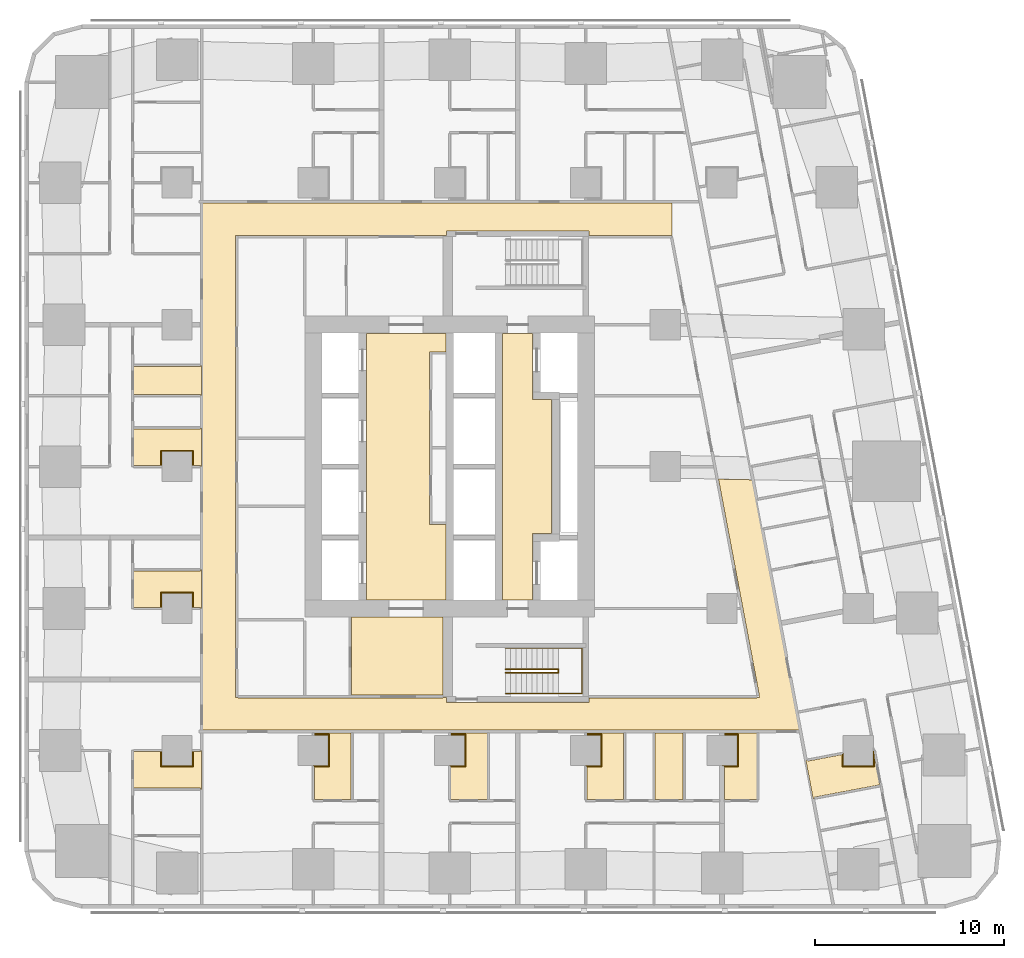
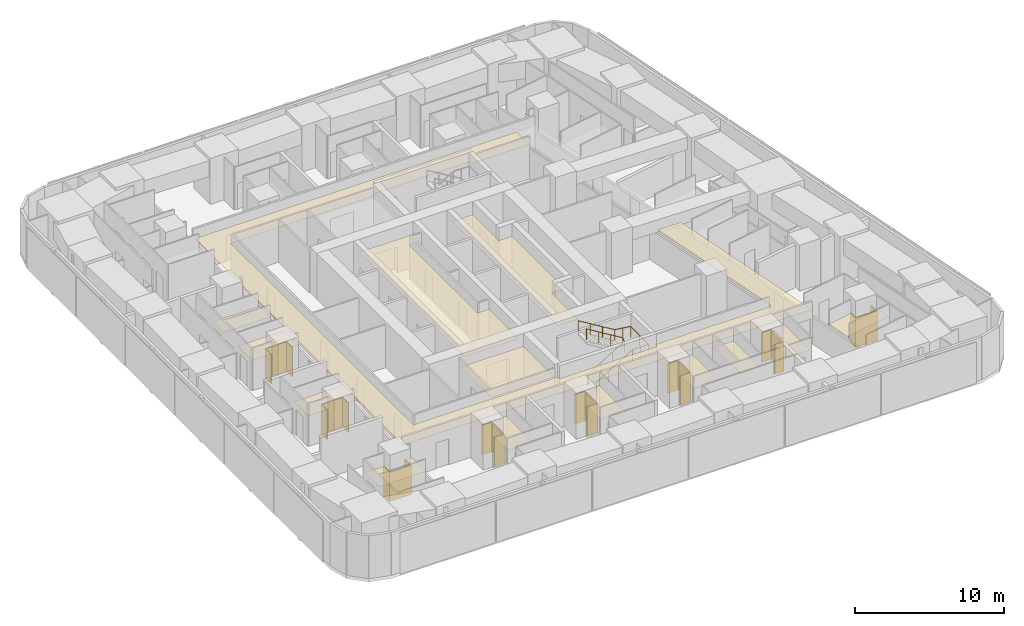
# One storey, part 14 of 16: 22 coverings, 2 railings.
"""IFC4 building model written with IfcOpenShell, lengths in metres."""

import ifcopenshell
import ifcopenshell.guid

model = None  # the IFC model being written
_history = None  # IfcOwnerHistory: only IFC2X3 demands one
_inside = {}  # id of a spatial element -> (the spatial element, [elements in it])
_under = {}  # id of a project, library or spatial element -> (it, [spatial elements below it])
_declared = {}  # id of a project -> (the project, [libraries it declares])
_typed = {}  # id of a type object -> (the type object, [elements of that type])
_made_of = {}  # id of a material, layer set ... -> (it, [elements and type objects made of it])


def new_model(schema):
    """Start an empty IFC model of exactly this schema.

    Asked for "IFC4X3", IfcOpenShell would pick the latest addendum, in which some entities
    have other attributes; the version numbers below select the first issue.
    IFC2X3 requires an IfcOwnerHistory on every rooted entity: one is made here for all.
    """
    global model, _history
    if schema == "IFC4X3":
        model = ifcopenshell.file(schema_version=(4, 3, 0, 0))
    else:
        model = ifcopenshell.file(schema=schema)
    _inside.clear()
    _under.clear()
    _declared.clear()
    _typed.clear()
    _made_of.clear()
    _history = None
    if model.schema == "IFC2X3":
        org = make("IfcOrganization", Name="unknown")
        user = make(
            "IfcPersonAndOrganization",
            ThePerson=make("IfcPerson", FamilyName="unknown"),
            TheOrganization=org,
        )
        app = make(
            "IfcApplication",
            ApplicationDeveloper=org,
            Version="unknown",
            ApplicationFullName="unknown",
            ApplicationIdentifier="unknown",
        )
        _history = make(
            "IfcOwnerHistory",
            OwningUser=user,
            OwningApplication=app,
            ChangeAction="ADDED",
            CreationDate=0,
        )
    return model


def make(cls, **values):
    """One entity of the class cls with the attributes given. An attribute that is None is left unset."""
    return model.create_entity(
        cls, **{name: value for name, value in values.items() if value is not None}
    )


def rooted(cls, **values):
    """An entity with a GlobalId (a new one), such as an element, a storey or a relation."""
    return make(cls, GlobalId=ifcopenshell.guid.new(), OwnerHistory=_history, **values)


def si_unit(unit_type, name, prefix=None):
    """IfcSIUnit, for example si_unit("LENGTHUNIT", "METRE", prefix="MILLI")."""
    return make("IfcSIUnit", UnitType=unit_type, Prefix=prefix, Name=name)


def assignment(units):
    """IfcUnitAssignment: the units of a project."""
    return None if units is None else make("IfcUnitAssignment", Units=units)


def point(xyz):
    """IfcCartesianPoint."""
    return None if xyz is None else make("IfcCartesianPoint", Coordinates=xyz)


def direction(xyz):
    """IfcDirection."""
    return None if xyz is None else make("IfcDirection", DirectionRatios=xyz)


def frame(location, z_axis=None, x_axis=None):
    """IfcAxis2Placement3D, a coordinate frame: its origin and axes. An axis left out is left unset."""
    return make(
        "IfcAxis2Placement3D",
        Location=point(location),
        Axis=direction(z_axis),
        RefDirection=direction(x_axis),
    )


def frame_2d(location, x_axis=None):
    """IfcAxis2Placement2D, a coordinate frame in the plane: its origin and x axis."""
    return make(
        "IfcAxis2Placement2D", Location=point(location), RefDirection=direction(x_axis)
    )


def origin():
    """The frame at (0, 0, 0) with its axes left unset."""
    return frame((0.0, 0.0, 0.0))


def origin_2d():
    """The frame at (0, 0) in the plane with its x axis left unset."""
    return frame_2d((0.0, 0.0))


def place(relative_to, where):
    """IfcLocalPlacement: puts the frame where relative to a parent placement (None: the world)."""
    return make(
        "IfcLocalPlacement", PlacementRelTo=relative_to, RelativePlacement=where
    )


def context(
    kind, dimensions, precision=None, world=None, true_north=None, identifier=None
):
    """IfcGeometricRepresentationContext, for example the 3D "Model" context."""
    return make(
        "IfcGeometricRepresentationContext",
        ContextIdentifier=identifier,
        ContextType=kind,
        CoordinateSpaceDimension=dimensions,
        Precision=precision,
        WorldCoordinateSystem=world,
        TrueNorth=true_north,
    )


def subcontext(parent, identifier, kind, view, scale=None):
    """IfcGeometricRepresentationSubContext, for example "Body" below "Model"."""
    return make(
        "IfcGeometricRepresentationSubContext",
        ContextIdentifier=identifier,
        ContextType=kind,
        ParentContext=parent,
        TargetScale=scale,
        TargetView=view,
    )


def project(units=None, contexts=None):
    """IfcProject with its units and contexts."""
    return rooted(
        "IfcProject",
        Name="project",
        RepresentationContexts=contexts,
        UnitsInContext=assignment(units),
    )


def spatial(cls, under=None, at=None, **own):
    """A site, building, storey or space (cls), placed at a placement, below another one or the project."""
    s = rooted(cls, ObjectPlacement=at, **own)
    if under is not None:
        _under.setdefault(under.id(), (under, []))[1].append(s)
    return s


def polyline(points):
    """IfcPolyline through the points."""
    return make("IfcPolyline", Points=[point(p) for p in points])


def profile(cls, at=None, kind="AREA", **sizes):
    """A parametric profile (cls). Its sizes go by their IFC names, for example OverallWidth=200.0."""
    return make(cls, ProfileType=kind, Position=at, **sizes)


def circle(**sizes):
    """IfcCircleProfileDef."""
    return profile("IfcCircleProfileDef", **sizes)


def outline(outer, holes=None, kind="AREA"):
    """IfcArbitraryClosedProfileDef: a profile drawn as a closed curve; with holes, ...WithVoids."""
    if holes is None:
        return make("IfcArbitraryClosedProfileDef", ProfileType=kind, OuterCurve=outer)
    return make(
        "IfcArbitraryProfileDefWithVoids",
        ProfileType=kind,
        OuterCurve=outer,
        InnerCurves=holes,
    )


def extrude(swept, where, along, depth):
    """IfcExtrudedAreaSolid: the profile swept, set in the frame where, extruded along a direction by depth."""
    return make(
        "IfcExtrudedAreaSolid",
        SweptArea=swept,
        Position=where,
        ExtrudedDirection=direction(along),
        Depth=depth,
    )


def shape(context_of_items, identifier, shape_type, items):
    """IfcShapeRepresentation: the items that make up one representation, for example the "Body"."""
    return make(
        "IfcShapeRepresentation",
        ContextOfItems=context_of_items,
        RepresentationIdentifier=identifier,
        RepresentationType=shape_type,
        Items=items,
    )


def material(Name=None, Category=None):
    """IfcMaterial."""
    return make("IfcMaterial", Name=Name, Category=Category)


def layer(
    of_material, thickness, ventilated=None, Name=None, Category=None, Priority=None
):
    """IfcMaterialLayer: one layer of a wall or slab, of a material (None: an air gap)."""
    return make(
        "IfcMaterialLayer",
        Material=of_material,
        LayerThickness=thickness,
        IsVentilated=ventilated,
        Name=Name,
        Category=Category,
        Priority=Priority,
    )


def layer_set(layers, Name=None):
    """IfcMaterialLayerSet."""
    return make("IfcMaterialLayerSet", MaterialLayers=layers, LayerSetName=Name)


def made_of(thing, what):
    """Note that an element or type object is made of a material, layer set ...; save() writes the relation."""
    if what is not None:
        _made_of.setdefault(what.id(), (what, []))[1].append(thing)
    return thing


def type_object(cls, material=None, **own):
    """A type object (cls), such as IfcWallType, which elements share."""
    return made_of(rooted(cls, **own), material)


def element(
    cls,
    number,
    at=None,
    inside=None,
    cuts=None,
    type_object=None,
    material=None,
    context=None,
    identifier="Body",
    shape_type=None,
    held_by="IfcProductDefinitionShape",
    body=None,
    shapes=None,
    **own,
):
    """One element of the class cls, such as IfcWall. Its Tag is "e" and its number.

    at: its placement. inside: the storey or other place that contains it. cuts: it is an
    opening in that element (IfcRelVoidsElement). A single representation is given by context,
    identifier, shape_type and body (its items); several are given by shapes. held_by: the class
    of the entity that holds the representations. save() writes the other relations.
    """
    e = rooted(cls, Tag="e%d" % number, ObjectPlacement=at, **own)
    if body is not None:
        shapes = [shape(context, identifier, shape_type, body)]
    if shapes is not None:
        e.Representation = make(held_by, Representations=shapes)
    if inside is not None:
        _inside.setdefault(inside.id(), (inside, []))[1].append(e)
    if cuts is not None:
        rooted(
            "IfcRelVoidsElement", RelatingBuildingElement=cuts, RelatedOpeningElement=e
        )
    if type_object is not None:
        _typed.setdefault(type_object.id(), (type_object, []))[1].append(e)
    return made_of(e, material)


def aggregate(whole, parts):
    """IfcRelAggregates: a whole, such as a stair, and the parts it consists of."""
    return rooted("IfcRelAggregates", RelatingObject=whole, RelatedObjects=parts)


def save(model, path):
    """Write the relations noted so far, then the file.

    IfcRelAggregates (storeys below a building ...), IfcRelContainedInSpatialStructure (elements
    in a storey), IfcRelDefinesByType, IfcRelAssociatesMaterial and IfcRelDeclares: one each for
    every whole, place, type object, material and project.
    """
    for whole, parts in _under.values():
        aggregate(whole, parts)
    for where, things in _inside.values():
        rooted(
            "IfcRelContainedInSpatialStructure",
            RelatedElements=things,
            RelatingStructure=where,
        )
    for kind, things in _typed.values():
        rooted("IfcRelDefinesByType", RelatedObjects=things, RelatingType=kind)
    for what, things in _made_of.values():
        rooted("IfcRelAssociatesMaterial", RelatedObjects=things, RelatingMaterial=what)
    for by, libraries in _declared.values():
        rooted("IfcRelDeclares", RelatingContext=by, RelatedDefinitions=libraries)
    model.write(path)


model = new_model("IFC4")

# Units and contexts
model_context = context("Model", 3, precision=1e-05, world=origin(), true_north=direction((0.0, 1.0)))
body_context = subcontext(model_context, "Body", "Model", "MODEL_VIEW")
ifc_project = project(units=[si_unit("LENGTHUNIT", "METRE"), si_unit("AREAUNIT", "SQUARE_METRE"), si_unit("VOLUMEUNIT", "CUBIC_METRE"), si_unit("PLANEANGLEUNIT", "RADIAN"), si_unit("MASSUNIT", "GRAM", prefix="KILO")], contexts=[model_context])

# Site, building, storey
site_placement = place(None, origin())
site = spatial("IfcSite", under=ifc_project, at=site_placement, CompositionType="ELEMENT")
building_placement = place(site_placement, origin())
building = spatial("IfcBuilding", under=site, at=building_placement, Name="Sheger Commons Tower", CompositionType="ELEMENT")
storey_placement = place(building_placement, frame((0.0, 0.0, 89.14990234375)))
storey = spatial("IfcBuildingStorey", under=building, at=storey_placement, Name="L22", CompositionType="ELEMENT", Elevation=89.14990234375)

# Railings
ifc_material_1 = material(Name="Steel handrail, black powder-coated", Category="steel")
railing_type = type_object("IfcRailingType", Name="HANDRAIL 900", PredefinedType="HANDRAIL", material=ifc_material_1)
railing_1_placement = place(storey_placement, frame((24.550048828125, 11.60009765625, 0.170654296875)))
element("IfcRailing", 1, at=railing_1_placement, inside=storey, type_object=railing_type, Name="Stair S1 handrail L22", PredefinedType="HANDRAIL", context=body_context, shape_type="SweptSolid", body=[
    extrude(circle(Radius=0.02392578125, at=origin_2d()), frame((0.0, 0.0, 0.8759765625), z_axis=(0.854202870247, 0.0, 0.519939858505), x_axis=(0.0, 1.0, 0.0)), (0.0, 0.0, 1.0), 3.278076171875),
    extrude(circle(Radius=0.02392578125, at=origin_2d()), frame((2.800048828125, 0.0, 2.580078125), z_axis=(0.0, 0.760631612298, 0.649183757016), x_axis=(-1.0, 0.0, 0.0)), (0.0, 0.0, 1.0), 0.262939453125),
    extrude(circle(Radius=0.02392578125, at=origin_2d()), frame((2.800048828125, 0.199951171875, 2.7509765625), z_axis=(-0.854202870247, 0.0, 0.519939858505), x_axis=(0.0, -1.0, 0.0)), (0.0, 0.0, 1.0), 3.278076171875),
    extrude(circle(Radius=0.02099609375, at=origin_2d()), origin(), (0.0, 0.0, 1.0), 0.851806640625),
    extrude(circle(Radius=0.02099609375, at=origin_2d()), frame((0.933349609375, 0.0, 0.568115234375)), (0.0, 0.0, 1.0), 0.851806640625),
    extrude(circle(Radius=0.02099609375, at=origin_2d()), frame((1.86669921875, 0.0, 1.13623046875)), (0.0, 0.0, 1.0), 0.851806640625),
    extrude(circle(Radius=0.02099609375, at=origin_2d()), frame((2.800048828125, 0.0, 1.704345703125)), (0.0, 0.0, 1.0), 0.851806640625),
    extrude(circle(Radius=0.02099609375, at=origin_2d()), frame((2.800048828125, 0.199951171875, 1.875)), (0.0, 0.0, 1.0), 0.851806640625),
    extrude(circle(Radius=0.02099609375, at=origin_2d()), frame((1.86669921875, 0.199951171875, 2.443115234375)), (0.0, 0.0, 1.0), 0.851806640625),
    extrude(circle(Radius=0.02099609375, at=origin_2d()), frame((0.933349609375, 0.199951171875, 3.01123046875)), (0.0, 0.0, 1.0), 0.851806640625),
    extrude(circle(Radius=0.02099609375, at=origin_2d()), frame((0.0, 0.199951171875, 3.579345703125)), (0.0, 0.0, 1.0), 0.851806640625),
])
railing_2_placement = place(storey_placement, frame((24.550048828125, 10.5, 0.170654296875)))
element("IfcRailing", 2, at=railing_2_placement, inside=storey, type_object=railing_type, Name="Stair S1 handrail L22", PredefinedType="HANDRAIL", context=body_context, shape_type="SweptSolid", body=[
    extrude(circle(Radius=0.02392578125, at=origin_2d()), frame((0.0, 0.0, 0.8759765625), z_axis=(0.854202870247, 0.0, 0.519939858505), x_axis=(0.0, 1.0, 0.0)), (0.0, 0.0, 1.0), 3.278076171875),
    extrude(circle(Radius=0.02392578125, at=origin_2d()), frame((2.800048828125, 0.0, 2.580078125), z_axis=(1.0, 0.0, 0.0), x_axis=(0.0, 1.0, 0.0)), (0.0, 0.0, 1.0), 1.25),
    extrude(circle(Radius=0.02392578125, at=origin_2d()), frame((4.050048828125, 0.0, 2.580078125), z_axis=(0.0, 1.0, 0.0), x_axis=(-1.0, 0.0, 0.0)), (0.0, 0.0, 1.0), 2.39990234375),
    extrude(circle(Radius=0.02392578125, at=origin_2d()), frame((4.050048828125, 2.39990234375, 2.580078125), z_axis=(-0.990808959222, 0.0, 0.135268645019), x_axis=(0.0, -1.0, 0.0)), (0.0, 0.0, 1.0), 1.261474609375),
    extrude(circle(Radius=0.02392578125, at=origin_2d()), frame((2.800048828125, 2.39990234375, 2.7509765625), z_axis=(-0.854202870247, 0.0, 0.519939858505), x_axis=(0.0, -1.0, 0.0)), (0.0, 0.0, 1.0), 3.278076171875),
    extrude(circle(Radius=0.02099609375, at=origin_2d()), origin(), (0.0, 0.0, 1.0), 0.851806640625),
    extrude(circle(Radius=0.02099609375, at=origin_2d()), frame((0.933349609375, 0.0, 0.568115234375)), (0.0, 0.0, 1.0), 0.851806640625),
    extrude(circle(Radius=0.02099609375, at=origin_2d()), frame((1.86669921875, 0.0, 1.13623046875)), (0.0, 0.0, 1.0), 0.851806640625),
    extrude(circle(Radius=0.02099609375, at=origin_2d()), frame((2.800048828125, 0.0, 1.704345703125)), (0.0, 0.0, 1.0), 0.851806640625),
    extrude(circle(Radius=0.02099609375, at=origin_2d()), frame((3.425048828125, 0.0, 1.704345703125)), (0.0, 0.0, 1.0), 0.851806640625),
    extrude(circle(Radius=0.02099609375, at=origin_2d()), frame((4.050048828125, 0.0, 1.704345703125)), (0.0, 0.0, 1.0), 0.851806640625),
    extrude(circle(Radius=0.02099609375, at=origin_2d()), frame((4.050048828125, 1.199951171875, 1.704345703125)), (0.0, 0.0, 1.0), 0.851806640625),
    extrude(circle(Radius=0.02099609375, at=origin_2d()), frame((4.050048828125, 2.39990234375, 1.704345703125)), (0.0, 0.0, 1.0), 0.851806640625),
    extrude(circle(Radius=0.02099609375, at=origin_2d()), frame((3.425048828125, 2.39990234375, 1.78955078125)), (0.0, 0.0, 1.0), 0.851806640625),
    extrude(circle(Radius=0.02099609375, at=origin_2d()), frame((2.800048828125, 2.39990234375, 1.875)), (0.0, 0.0, 1.0), 0.851806640625),
    extrude(circle(Radius=0.02099609375, at=origin_2d()), frame((1.86669921875, 2.39990234375, 2.443115234375)), (0.0, 0.0, 1.0), 0.851806640625),
    extrude(circle(Radius=0.02099609375, at=origin_2d()), frame((0.933349609375, 2.39990234375, 3.01123046875)), (0.0, 0.0, 1.0), 0.851806640625),
    extrude(circle(Radius=0.02099609375, at=origin_2d()), frame((0.0, 2.39990234375, 3.579345703125)), (0.0, 0.0, 1.0), 0.851806640625),
])

# Coverings
ifc_material_2 = material(Name="Moisture-resistant gypsum plasterboard 15 mm on a suspended galvanised steel grid", Category="steel")
ifc_layer_1 = layer(ifc_material_2, 0.014892578125)
ifc_layer_set_1 = layer_set([ifc_layer_1], Name="MOISTURE-RESISTANT CEILING 15")
covering_type_1 = type_object("IfcCoveringType", Name="MOISTURE-RESISTANT CEILING 15", PredefinedType="CEILING", material=ifc_layer_set_1)
covering_1_placement = place(storey_placement, frame((0.0, 0.0, 2.400146484375)))
element("IfcCovering", 3, at=covering_1_placement, inside=storey, type_object=covering_type_1, Name="L22-01.B1 ceiling", PredefinedType="CEILING", context=body_context, shape_type="SweptSolid", body=[
    extrude(outline(polyline([(8.429931640625, 5.449951171875), (8.5, 5.449951171875), (8.5, 7.5), (8.429931640625, 7.5), (8.429931640625, 7.445068359375), (8.0048828125, 7.445068359375), (8.0048828125, 6.695068359375), (6.39501953125, 6.695068359375), (6.39501953125, 7.445068359375), (4.905029296875, 7.445068359375), (4.905029296875, 5.5048828125), (8.429931640625, 5.5048828125), (8.429931640625, 5.449951171875)])), origin(), (0.0, 0.0, 1.0), 0.014892578125),
])
covering_2_placement = place(storey_placement, frame((0.0, 0.0, 2.400146484375)))
element("IfcCovering", 4, at=covering_2_placement, inside=storey, type_object=covering_type_1, Name="L22-02.B1 ceiling", PredefinedType="CEILING", context=body_context, shape_type="SweptSolid", body=[
    extrude(outline(polyline([(8.429931640625, 15.0), (8.5, 15.0), (8.5, 17.050048828125), (8.429931640625, 17.050048828125), (8.429931640625, 16.9951171875), (4.905029296875, 16.9951171875), (4.905029296875, 15.054931640625), (6.39501953125, 15.054931640625), (6.39501953125, 15.804931640625), (8.0048828125, 15.804931640625), (8.0048828125, 15.054931640625), (8.429931640625, 15.054931640625), (8.429931640625, 15.0)])), origin(), (0.0, 0.0, 1.0), 0.014892578125),
])
covering_3_placement = place(storey_placement, frame((0.0, 0.0, 2.400146484375)))
element("IfcCovering", 5, at=covering_3_placement, inside=storey, type_object=covering_type_1, Name="L22-03.B1 ceiling", PredefinedType="CEILING", context=body_context, shape_type="SweptSolid", body=[
    extrude(outline(polyline([(8.429931640625, 22.5), (8.5, 22.5), (8.5, 24.550048828125), (8.429931640625, 24.550048828125), (8.429931640625, 24.4951171875), (4.905029296875, 24.4951171875), (4.905029296875, 22.554931640625), (6.39501953125, 22.554931640625), (6.39501953125, 23.304931640625), (8.0048828125, 23.304931640625), (8.0048828125, 22.554931640625), (8.429931640625, 22.554931640625), (8.429931640625, 22.5)])), origin(), (0.0, 0.0, 1.0), 0.014892578125),
])
covering_4_placement = place(storey_placement, frame((0.0, 0.0, 2.400146484375)))
element("IfcCovering", 6, at=covering_4_placement, inside=storey, type_object=covering_type_1, Name="L22-03.B2 ceiling", PredefinedType="CEILING", context=body_context, shape_type="SweptSolid", body=[
    extrude(outline(polyline([(8.429931640625, 26.25), (8.5, 26.25), (8.5, 27.85009765625), (8.429931640625, 27.85009765625), (8.429931640625, 27.794921875), (4.905029296875, 27.794921875), (4.905029296875, 26.304931640625), (8.429931640625, 26.304931640625), (8.429931640625, 26.25)])), origin(), (0.0, 0.0, 1.0), 0.014892578125),
])
covering_5_placement = place(storey_placement, frame((0.0, 0.0, 2.400146484375)))
element("IfcCovering", 7, at=covering_5_placement, inside=storey, type_object=covering_type_1, Name="L22-05.B1 ceiling", PredefinedType="CEILING", context=body_context, shape_type="SweptSolid", body=[
    extrude(outline(polyline([(14.455078125, 4.905029296875), (16.39501953125, 4.905029296875), (16.39501953125, 8.419921875), (14.455078125, 8.419921875), (14.455078125, 8.304931640625), (15.205078125, 8.304931640625), (15.205078125, 6.695068359375), (14.455078125, 6.695068359375), (14.455078125, 4.905029296875)])), origin(), (0.0, 0.0, 1.0), 0.014892578125),
])
covering_6_placement = place(storey_placement, frame((0.0, 0.0, 2.400146484375)))
element("IfcCovering", 8, at=covering_6_placement, inside=storey, type_object=covering_type_1, Name="L22-06.B1 ceiling", PredefinedType="CEILING", context=body_context, shape_type="SweptSolid", body=[
    extrude(outline(polyline([(21.655029296875, 4.905029296875), (23.594970703125, 4.905029296875), (23.594970703125, 8.419921875), (21.655029296875, 8.419921875), (21.655029296875, 8.304931640625), (22.405029296875, 8.304931640625), (22.405029296875, 6.695068359375), (21.655029296875, 6.695068359375), (21.655029296875, 4.905029296875)])), origin(), (0.0, 0.0, 1.0), 0.014892578125),
])
covering_7_placement = place(storey_placement, frame((0.0, 0.0, 2.400146484375)))
element("IfcCovering", 9, at=covering_7_placement, inside=storey, type_object=covering_type_1, Name="L22-07.B1 ceiling", PredefinedType="CEILING", context=body_context, shape_type="SweptSolid", body=[
    extrude(outline(polyline([(28.85498046875, 4.905029296875), (30.794921875, 4.905029296875), (30.794921875, 8.419921875), (28.85498046875, 8.419921875), (28.85498046875, 8.304931640625), (29.60498046875, 8.304931640625), (29.60498046875, 6.695068359375), (28.85498046875, 6.695068359375), (28.85498046875, 4.905029296875)])), origin(), (0.0, 0.0, 1.0), 0.014892578125),
])
covering_8_placement = place(storey_placement, frame((0.0, 0.0, 2.400146484375)))
element("IfcCovering", 10, at=covering_8_placement, inside=storey, type_object=covering_type_1, Name="L22-07.B2 ceiling", PredefinedType="CEILING", context=body_context, shape_type="SweptSolid", body=[
    extrude(outline(polyline([(32.455078125, 4.905029296875), (33.945068359375, 4.905029296875), (33.945068359375, 8.419921875), (32.455078125, 8.419921875), (32.455078125, 4.905029296875)])), origin(), (0.0, 0.0, 1.0), 0.014892578125),
])
covering_9_placement = place(storey_placement, frame((0.0, 0.0, 2.400146484375)))
element("IfcCovering", 11, at=covering_9_placement, inside=storey, type_object=covering_type_1, Name="L22-08.B1 ceiling", PredefinedType="CEILING", context=body_context, shape_type="SweptSolid", body=[
    extrude(outline(polyline([(36.1298828125, 4.905029296875), (37.8349609375, 4.905029296875), (37.8349609375, 8.419921875), (36.1298828125, 8.419921875), (36.1298828125, 8.304931640625), (36.804931640625, 8.304931640625), (36.804931640625, 6.695068359375), (36.1298828125, 6.695068359375), (36.1298828125, 4.905029296875)])), origin(), (0.0, 0.0, 1.0), 0.014892578125),
])
covering_10_placement = place(storey_placement, frame((0.0, 0.0, 2.400146484375)))
element("IfcCovering", 12, at=covering_10_placement, inside=storey, type_object=covering_type_1, Name="L22-11.B1 ceiling", PredefinedType="CEILING", context=body_context, shape_type="SweptSolid", body=[
    extrude(outline(polyline([(40.81201171875, 4.962890625), (40.881103515625, 4.97607421875), (40.87109375, 5.030029296875), (44.333984375, 5.68408203125), (44.007080078125, 7.4150390625), (44.0048828125, 7.4150390625), (44.0048828125, 6.695068359375), (42.39501953125, 6.695068359375), (42.39501953125, 7.2919921875), (40.510009765625, 6.93603515625), (40.5, 6.990966796875), (40.431884765625, 6.97802734375), (40.81201171875, 4.962890625)])), origin(), (0.0, 0.0, 1.0), 0.014892578125),
])
ifc_material_3 = material(Name="Gypsum plasterboard 15 mm on a suspended steel grid", Category="steel")
ifc_layer_2 = layer(ifc_material_3, 0.014892578125)
ifc_layer_set_2 = layer_set([ifc_layer_2], Name="SUSPENDED CEILING 15")
covering_type_2 = type_object("IfcCoveringType", Name="SUSPENDED CEILING 15", PredefinedType="CEILING", material=ifc_layer_set_2)
covering_11_placement = place(storey_placement, frame((0.0, 0.0, 2.7001953125)))
element("IfcCovering", 13, at=covering_11_placement, inside=storey, type_object=covering_type_2, Name="L22-CO ceiling", PredefinedType="CEILING", context=body_context, shape_type="SweptSolid", body=[
    extrude(outline(polyline([(40.05810546875, 8.5), (40.14404296875, 8.5), (37.632080078125, 21.801025390625), (35.81103515625, 21.837890625), (37.967041015625, 10.4208984375), (37.949951171875, 10.4169921875), (37.971923828125, 10.300048828125), (37.841064453125, 10.300048828125), (37.841064453125, 10.281982421875), (28.955078125, 10.281982421875), (28.955078125, 10.044921875), (21.445068359375, 10.044921875), (21.445068359375, 10.300048828125), (21.2548828125, 10.300048828125), (21.2548828125, 10.281982421875), (10.407958984375, 10.281982421875), (10.407958984375, 10.294921875), (10.281982421875, 10.294921875), (10.281982421875, 34.705078125), (10.407958984375, 34.705078125), (10.407958984375, 34.718017578125), (21.2548828125, 34.718017578125), (21.2548828125, 34.699951171875), (21.445068359375, 34.699951171875), (21.445068359375, 34.955078125), (28.955078125, 34.955078125), (28.955078125, 34.718017578125), (33.3359375, 34.718017578125), (33.3359375, 34.699951171875), (33.361083984375, 34.699951171875), (33.361083984375, 36.419921875), (8.5, 36.419921875), (8.5, 8.580078125), (40.05810546875, 8.580078125), (40.05810546875, 8.5)])), origin(), (0.0, 0.0, 1.0), 0.014892578125),
])
covering_12_placement = place(storey_placement, frame((0.0, 0.0, 2.7001953125)))
element("IfcCovering", 14, at=covering_12_placement, inside=storey, type_object=covering_type_2, Name="L22-SVS1 ceiling", PredefinedType="CEILING", context=body_context, shape_type="SweptSolid", body=[
    extrude(outline(polyline([(16.406982421875, 10.41796875), (21.2451171875, 10.41796875), (21.2451171875, 14.544921875), (16.406982421875, 14.544921875), (16.406982421875, 10.41796875)])), origin(), (0.0, 0.0, 1.0), 0.014892578125),
])
covering_13_placement = place(storey_placement, frame((0.0, 0.0, 2.7001953125)))
element("IfcCovering", 15, at=covering_13_placement, inside=storey, type_object=covering_type_2, Name="L22-LL ceiling", PredefinedType="CEILING", context=body_context, shape_type="SweptSolid", body=[
    extrude(outline(polyline([(17.205078125, 15.455078125), (21.39990234375, 15.455078125), (21.39990234375, 19.43310546875), (20.657958984375, 19.43310546875), (20.532958984375, 19.43310546875), (20.532958984375, 28.56689453125), (20.657958984375, 28.56689453125), (21.39990234375, 28.56689453125), (21.39990234375, 29.544921875), (17.205078125, 29.544921875), (17.205078125, 15.455078125)])), origin(), (0.0, 0.0, 1.0), 0.014892578125),
])
covering_14_placement = place(storey_placement, frame((0.0, 0.0, 2.7001953125)))
element("IfcCovering", 16, at=covering_14_placement, inside=storey, type_object=covering_type_2, Name="L22-FL ceiling", PredefinedType="CEILING", context=body_context, shape_type="SweptSolid", body=[
    extrude(outline(polyline([(24.405029296875, 15.455078125), (25.9951171875, 15.455078125), (25.9951171875, 18.955078125), (26.9951171875, 18.955078125), (26.9951171875, 26.044921875), (25.9951171875, 26.044921875), (25.9951171875, 29.544921875), (24.405029296875, 29.544921875), (24.405029296875, 15.455078125)])), origin(), (0.0, 0.0, 1.0), 0.014892578125),
])
ifc_material_4 = material(Name="Moisture-resistant gypsum board 12.5 mm on 25 mm treated timber battens, tanked and tiled", Category="wood")
ifc_layer_3 = layer(ifc_material_4, 0.050048828125)
ifc_layer_set_3 = layer_set([ifc_layer_3], Name="WET-ROOM COLUMN LINING")
covering_type_3 = type_object("IfcCoveringType", Name="WET-ROOM COLUMN LINING", PredefinedType="CLADDING", material=ifc_layer_set_3)
covering_15_placement = place(storey_placement, origin())
element("IfcCovering", 17, at=covering_15_placement, inside=storey, type_object=covering_type_3, Name="Bathroom column lining C9 L22", PredefinedType="CLADDING", context=body_context, shape_type="SweptSolid", body=[
    extrude(outline(polyline([(6.39990234375, 7.5), (6.39990234375, 6.699951171875), (8.0, 6.699951171875), (8.0, 7.5), (8.0009765625, 7.5), (8.0009765625, 7.449951171875), (8.050048828125, 7.449951171875), (8.050048828125, 6.64990234375), (6.35009765625, 6.64990234375), (6.35009765625, 7.449951171875), (6.39892578125, 7.449951171875), (6.39892578125, 7.5), (6.39990234375, 7.5)])), origin(), (0.0, 0.0, 1.0), 2.400146484375),
])
covering_16_placement = place(storey_placement, origin())
element("IfcCovering", 18, at=covering_16_placement, inside=storey, type_object=covering_type_3, Name="Bathroom column lining C9 L22", PredefinedType="CLADDING", context=body_context, shape_type="SweptSolid", body=[
    extrude(outline(polyline([(15.25, 6.64990234375), (14.449951171875, 6.64990234375), (14.449951171875, 6.698974609375), (14.39990234375, 6.698974609375), (14.39990234375, 6.699951171875), (15.199951171875, 6.699951171875), (15.199951171875, 8.300048828125), (14.39990234375, 8.300048828125), (14.39990234375, 8.301025390625), (14.449951171875, 8.301025390625), (14.449951171875, 8.35009765625), (15.25, 8.35009765625), (15.25, 6.64990234375)])), origin(), (0.0, 0.0, 1.0), 2.400146484375),
])
covering_17_placement = place(storey_placement, origin())
element("IfcCovering", 19, at=covering_17_placement, inside=storey, type_object=covering_type_3, Name="Bathroom column lining C9 L22", PredefinedType="CLADDING", context=body_context, shape_type="SweptSolid", body=[
    extrude(outline(polyline([(22.449951171875, 6.64990234375), (21.64990234375, 6.64990234375), (21.64990234375, 6.698974609375), (21.60009765625, 6.698974609375), (21.60009765625, 6.699951171875), (22.39990234375, 6.699951171875), (22.39990234375, 8.300048828125), (21.60009765625, 8.300048828125), (21.60009765625, 8.301025390625), (21.64990234375, 8.301025390625), (21.64990234375, 8.35009765625), (22.449951171875, 8.35009765625), (22.449951171875, 6.64990234375)])), origin(), (0.0, 0.0, 1.0), 2.400146484375),
])
covering_18_placement = place(storey_placement, origin())
element("IfcCovering", 20, at=covering_18_placement, inside=storey, type_object=covering_type_3, Name="Bathroom column lining C9 L22", PredefinedType="CLADDING", context=body_context, shape_type="SweptSolid", body=[
    extrude(outline(polyline([(29.64990234375, 6.64990234375), (28.85009765625, 6.64990234375), (28.85009765625, 6.698974609375), (28.800048828125, 6.698974609375), (28.800048828125, 6.699951171875), (29.60009765625, 6.699951171875), (29.60009765625, 8.300048828125), (28.800048828125, 8.300048828125), (28.800048828125, 8.301025390625), (28.85009765625, 8.301025390625), (28.85009765625, 8.35009765625), (29.64990234375, 8.35009765625), (29.64990234375, 6.64990234375)])), origin(), (0.0, 0.0, 1.0), 2.400146484375),
])
covering_19_placement = place(storey_placement, origin())
element("IfcCovering", 21, at=covering_19_placement, inside=storey, type_object=covering_type_3, Name="Shower room column lining C9 L22", PredefinedType="CLADDING", context=body_context, shape_type="SweptSolid", body=[
    extrude(outline(polyline([(36.85009765625, 6.64990234375), (36.125, 6.64990234375), (36.125, 6.698974609375), (36.0, 6.698974609375), (36.0, 6.699951171875), (36.800048828125, 6.699951171875), (36.800048828125, 8.300048828125), (36.0, 8.300048828125), (36.0, 8.301025390625), (36.125, 8.301025390625), (36.125, 8.35009765625), (36.85009765625, 8.35009765625), (36.85009765625, 6.64990234375)])), origin(), (0.0, 0.0, 1.0), 2.400146484375),
])
covering_20_placement = place(storey_placement, origin())
element("IfcCovering", 22, at=covering_20_placement, inside=storey, type_object=covering_type_3, Name="Bathroom column lining C9 L22", PredefinedType="CLADDING", context=body_context, shape_type="SweptSolid", body=[
    extrude(outline(polyline([(42.39990234375, 7.35009765625), (42.39990234375, 6.699951171875), (44.0, 6.699951171875), (44.0, 7.47998046875), (44.050048828125, 7.215087890625), (44.050048828125, 6.64990234375), (42.35009765625, 6.64990234375), (42.35009765625, 7.2890625), (42.39892578125, 7.298095703125), (42.389892578125, 7.347900390625), (42.39990234375, 7.35009765625)])), origin(), (0.0, 0.0, 1.0), 2.400146484375),
])
covering_21_placement = place(storey_placement, origin())
element("IfcCovering", 23, at=covering_21_placement, inside=storey, type_object=covering_type_3, Name="Bathroom column lining C9 L22", PredefinedType="CLADDING", context=body_context, shape_type="SweptSolid", body=[
    extrude(outline(polyline([(8.050048828125, 15.85009765625), (8.050048828125, 15.050048828125), (8.0009765625, 15.050048828125), (8.0009765625, 15.0), (8.0, 15.0), (8.0, 15.800048828125), (6.39990234375, 15.800048828125), (6.39990234375, 15.0), (6.39892578125, 15.0), (6.39892578125, 15.050048828125), (6.35009765625, 15.050048828125), (6.35009765625, 15.85009765625), (8.050048828125, 15.85009765625)])), origin(), (0.0, 0.0, 1.0), 2.400146484375),
])
covering_22_placement = place(storey_placement, origin())
element("IfcCovering", 24, at=covering_22_placement, inside=storey, type_object=covering_type_3, Name="Bathroom column lining C9 L22", PredefinedType="CLADDING", context=body_context, shape_type="SweptSolid", body=[
    extrude(outline(polyline([(8.050048828125, 23.35009765625), (8.050048828125, 22.550048828125), (8.0009765625, 22.550048828125), (8.0009765625, 22.5), (8.0, 22.5), (8.0, 23.300048828125), (6.39990234375, 23.300048828125), (6.39990234375, 22.5), (6.39892578125, 22.5), (6.39892578125, 22.550048828125), (6.35009765625, 22.550048828125), (6.35009765625, 23.35009765625), (8.050048828125, 23.35009765625)])), origin(), (0.0, 0.0, 1.0), 2.400146484375),
])

save(model, "model.ifc")
